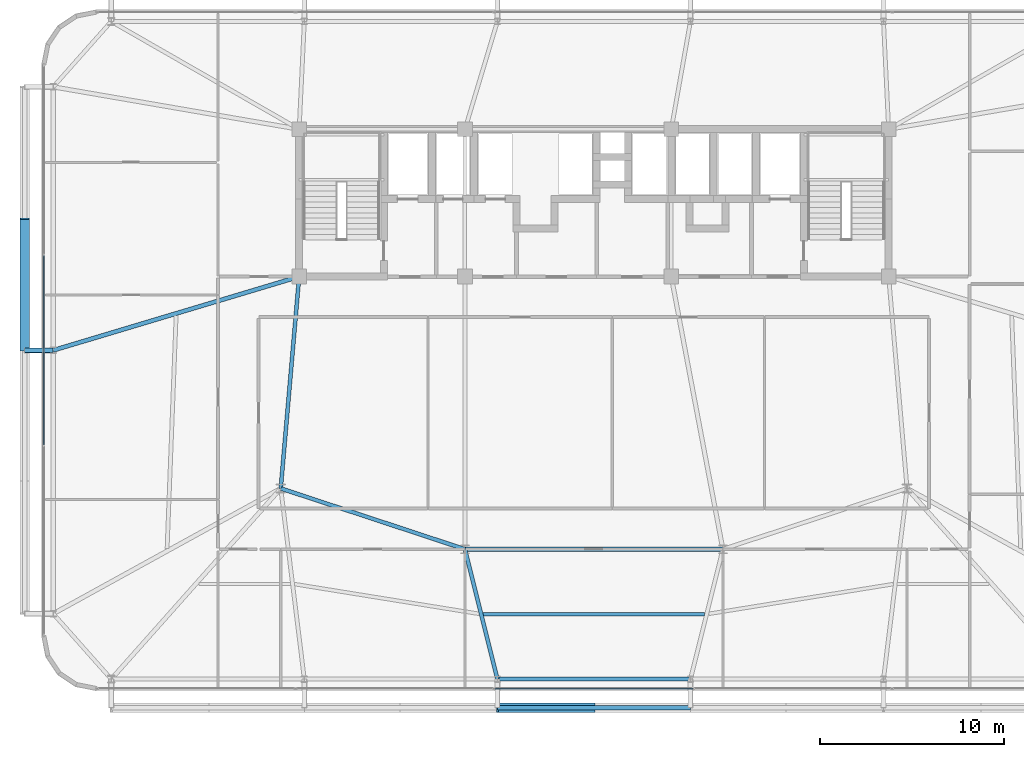
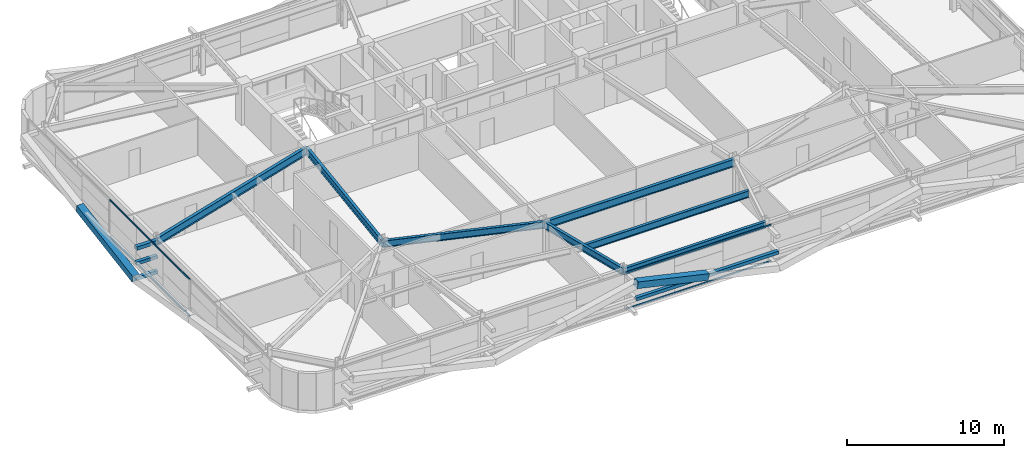
# One storey, part 10 of 45: 10 members, 7 beams, 2 elements without a shape of their own.
"""IFC4 building model written with IfcOpenShell, lengths in metres."""

import ifcopenshell
import ifcopenshell.guid

model = None  # the IFC model being written
_history = None  # IfcOwnerHistory: only IFC2X3 demands one
_inside = {}  # id of a spatial element -> (the spatial element, [elements in it])
_under = {}  # id of a project, library or spatial element -> (it, [spatial elements below it])
_declared = {}  # id of a project -> (the project, [libraries it declares])
_typed = {}  # id of a type object -> (the type object, [elements of that type])
_made_of = {}  # id of a material, layer set ... -> (it, [elements and type objects made of it])


def new_model(schema):
    """Start an empty IFC model of exactly this schema.

    Asked for "IFC4X3", IfcOpenShell would pick the latest addendum, in which some entities
    have other attributes; the version numbers below select the first issue.
    IFC2X3 requires an IfcOwnerHistory on every rooted entity: one is made here for all.
    """
    global model, _history
    if schema == "IFC4X3":
        model = ifcopenshell.file(schema_version=(4, 3, 0, 0))
    else:
        model = ifcopenshell.file(schema=schema)
    _inside.clear()
    _under.clear()
    _declared.clear()
    _typed.clear()
    _made_of.clear()
    _history = None
    if model.schema == "IFC2X3":
        org = make("IfcOrganization", Name="unknown")
        user = make(
            "IfcPersonAndOrganization",
            ThePerson=make("IfcPerson", FamilyName="unknown"),
            TheOrganization=org,
        )
        app = make(
            "IfcApplication",
            ApplicationDeveloper=org,
            Version="unknown",
            ApplicationFullName="unknown",
            ApplicationIdentifier="unknown",
        )
        _history = make(
            "IfcOwnerHistory",
            OwningUser=user,
            OwningApplication=app,
            ChangeAction="ADDED",
            CreationDate=0,
        )
    return model


def make(cls, **values):
    """One entity of the class cls with the attributes given. An attribute that is None is left unset."""
    return model.create_entity(
        cls, **{name: value for name, value in values.items() if value is not None}
    )


def rooted(cls, **values):
    """An entity with a GlobalId (a new one), such as an element, a storey or a relation."""
    return make(cls, GlobalId=ifcopenshell.guid.new(), OwnerHistory=_history, **values)


def si_unit(unit_type, name, prefix=None):
    """IfcSIUnit, for example si_unit("LENGTHUNIT", "METRE", prefix="MILLI")."""
    return make("IfcSIUnit", UnitType=unit_type, Prefix=prefix, Name=name)


def assignment(units):
    """IfcUnitAssignment: the units of a project."""
    return None if units is None else make("IfcUnitAssignment", Units=units)


def point(xyz):
    """IfcCartesianPoint."""
    return None if xyz is None else make("IfcCartesianPoint", Coordinates=xyz)


def direction(xyz):
    """IfcDirection."""
    return None if xyz is None else make("IfcDirection", DirectionRatios=xyz)


def frame(location, z_axis=None, x_axis=None):
    """IfcAxis2Placement3D, a coordinate frame: its origin and axes. An axis left out is left unset."""
    return make(
        "IfcAxis2Placement3D",
        Location=point(location),
        Axis=direction(z_axis),
        RefDirection=direction(x_axis),
    )


def frame_2d(location, x_axis=None):
    """IfcAxis2Placement2D, a coordinate frame in the plane: its origin and x axis."""
    return make(
        "IfcAxis2Placement2D", Location=point(location), RefDirection=direction(x_axis)
    )


def origin():
    """The frame at (0, 0, 0) with its axes left unset."""
    return frame((0.0, 0.0, 0.0))


def origin_2d():
    """The frame at (0, 0) in the plane with its x axis left unset."""
    return frame_2d((0.0, 0.0))


def place(relative_to, where):
    """IfcLocalPlacement: puts the frame where relative to a parent placement (None: the world)."""
    return make(
        "IfcLocalPlacement", PlacementRelTo=relative_to, RelativePlacement=where
    )


def context(
    kind, dimensions, precision=None, world=None, true_north=None, identifier=None
):
    """IfcGeometricRepresentationContext, for example the 3D "Model" context."""
    return make(
        "IfcGeometricRepresentationContext",
        ContextIdentifier=identifier,
        ContextType=kind,
        CoordinateSpaceDimension=dimensions,
        Precision=precision,
        WorldCoordinateSystem=world,
        TrueNorth=true_north,
    )


def subcontext(parent, identifier, kind, view, scale=None):
    """IfcGeometricRepresentationSubContext, for example "Body" below "Model"."""
    return make(
        "IfcGeometricRepresentationSubContext",
        ContextIdentifier=identifier,
        ContextType=kind,
        ParentContext=parent,
        TargetScale=scale,
        TargetView=view,
    )


def project(units=None, contexts=None):
    """IfcProject with its units and contexts."""
    return rooted(
        "IfcProject",
        Name="project",
        RepresentationContexts=contexts,
        UnitsInContext=assignment(units),
    )


def spatial(cls, under=None, at=None, **own):
    """A site, building, storey or space (cls), placed at a placement, below another one or the project."""
    s = rooted(cls, ObjectPlacement=at, **own)
    if under is not None:
        _under.setdefault(under.id(), (under, []))[1].append(s)
    return s


def profile(cls, at=None, kind="AREA", **sizes):
    """A parametric profile (cls). Its sizes go by their IFC names, for example OverallWidth=200.0."""
    return make(cls, ProfileType=kind, Position=at, **sizes)


def hollow_rectangle(**sizes):
    """IfcRectangleHollowProfileDef."""
    return profile("IfcRectangleHollowProfileDef", **sizes)


def i_section(**sizes):
    """IfcIShapeProfileDef."""
    return profile("IfcIShapeProfileDef", **sizes)


def extrude(swept, where, along, depth):
    """IfcExtrudedAreaSolid: the profile swept, set in the frame where, extruded along a direction by depth."""
    return make(
        "IfcExtrudedAreaSolid",
        SweptArea=swept,
        Position=where,
        ExtrudedDirection=direction(along),
        Depth=depth,
    )


def shape(context_of_items, identifier, shape_type, items):
    """IfcShapeRepresentation: the items that make up one representation, for example the "Body"."""
    return make(
        "IfcShapeRepresentation",
        ContextOfItems=context_of_items,
        RepresentationIdentifier=identifier,
        RepresentationType=shape_type,
        Items=items,
    )


def source(mapping_origin, context_of_items, identifier, shape_type, items):
    """IfcRepresentationMap: a shape defined once, which mapped items show again and again."""
    return make(
        "IfcRepresentationMap",
        MappingOrigin=mapping_origin,
        MappedRepresentation=shape(context_of_items, identifier, shape_type, items),
    )


def transform(
    local_origin,
    x_axis=None,
    y_axis=None,
    z_axis=None,
    scale=None,
    scale2=None,
    scale3=None,
    uniform=True,
):
    """IfcCartesianTransformationOperator3D, or its non-uniform kind. x_axis, y_axis, z_axis: its Axis1, 2, 3."""
    if uniform:
        return make(
            "IfcCartesianTransformationOperator3D",
            Axis1=direction(x_axis),
            Axis2=direction(y_axis),
            LocalOrigin=point(local_origin),
            Scale=scale,
            Axis3=direction(z_axis),
        )
    return make(
        "IfcCartesianTransformationOperator3DnonUniform",
        Axis1=direction(x_axis),
        Axis2=direction(y_axis),
        LocalOrigin=point(local_origin),
        Scale=scale,
        Axis3=direction(z_axis),
        Scale2=scale2,
        Scale3=scale3,
    )


def mapped(mapping_source, mapping_target):
    """IfcMappedItem: shows the shape of a source again, moved by a transform."""
    return make(
        "IfcMappedItem", MappingSource=mapping_source, MappingTarget=mapping_target
    )


def material(Name=None, Category=None):
    """IfcMaterial."""
    return make("IfcMaterial", Name=Name, Category=Category)


def layer(
    of_material, thickness, ventilated=None, Name=None, Category=None, Priority=None
):
    """IfcMaterialLayer: one layer of a wall or slab, of a material (None: an air gap)."""
    return make(
        "IfcMaterialLayer",
        Material=of_material,
        LayerThickness=thickness,
        IsVentilated=ventilated,
        Name=Name,
        Category=Category,
        Priority=Priority,
    )


def layer_set(layers, Name=None):
    """IfcMaterialLayerSet."""
    return make("IfcMaterialLayerSet", MaterialLayers=layers, LayerSetName=Name)


def material_profile(
    of_material, cross_section, Name=None, Category=None, Priority=None
):
    """IfcMaterialProfile: a cross section and its material."""
    return make(
        "IfcMaterialProfile",
        Name=Name,
        Material=of_material,
        Profile=cross_section,
        Priority=Priority,
        Category=Category,
    )


def profile_set(profiles, Name=None, composite=None):
    """IfcMaterialProfileSet."""
    return make(
        "IfcMaterialProfileSet",
        Name=Name,
        MaterialProfiles=profiles,
        CompositeProfile=composite,
    )


def made_of(thing, what):
    """Note that an element or type object is made of a material, layer set ...; save() writes the relation."""
    if what is not None:
        _made_of.setdefault(what.id(), (what, []))[1].append(thing)
    return thing


def type_object(cls, material=None, **own):
    """A type object (cls), such as IfcWallType, which elements share."""
    return made_of(rooted(cls, **own), material)


def element(
    cls,
    number,
    at=None,
    inside=None,
    cuts=None,
    type_object=None,
    material=None,
    context=None,
    identifier="Body",
    shape_type=None,
    held_by="IfcProductDefinitionShape",
    body=None,
    shapes=None,
    **own,
):
    """One element of the class cls, such as IfcWall. Its Tag is "e" and its number.

    at: its placement. inside: the storey or other place that contains it. cuts: it is an
    opening in that element (IfcRelVoidsElement). A single representation is given by context,
    identifier, shape_type and body (its items); several are given by shapes. held_by: the class
    of the entity that holds the representations. save() writes the other relations.
    """
    e = rooted(cls, Tag="e%d" % number, ObjectPlacement=at, **own)
    if body is not None:
        shapes = [shape(context, identifier, shape_type, body)]
    if shapes is not None:
        e.Representation = make(held_by, Representations=shapes)
    if inside is not None:
        _inside.setdefault(inside.id(), (inside, []))[1].append(e)
    if cuts is not None:
        rooted(
            "IfcRelVoidsElement", RelatingBuildingElement=cuts, RelatedOpeningElement=e
        )
    if type_object is not None:
        _typed.setdefault(type_object.id(), (type_object, []))[1].append(e)
    return made_of(e, material)


def aggregate(whole, parts):
    """IfcRelAggregates: a whole, such as a stair, and the parts it consists of."""
    return rooted("IfcRelAggregates", RelatingObject=whole, RelatedObjects=parts)


def save(model, path):
    """Write the relations noted so far, then the file.

    IfcRelAggregates (storeys below a building ...), IfcRelContainedInSpatialStructure (elements
    in a storey), IfcRelDefinesByType, IfcRelAssociatesMaterial and IfcRelDeclares: one each for
    every whole, place, type object, material and project.
    """
    for whole, parts in _under.values():
        aggregate(whole, parts)
    for where, things in _inside.values():
        rooted(
            "IfcRelContainedInSpatialStructure",
            RelatedElements=things,
            RelatingStructure=where,
        )
    for kind, things in _typed.values():
        rooted("IfcRelDefinesByType", RelatedObjects=things, RelatingType=kind)
    for what, things in _made_of.values():
        rooted("IfcRelAssociatesMaterial", RelatedObjects=things, RelatingMaterial=what)
    for by, libraries in _declared.values():
        rooted("IfcRelDeclares", RelatingContext=by, RelatedDefinitions=libraries)
    model.write(path)


model = new_model("IFC4")

# Units and contexts
model_context = context("Model", 3, precision=1e-05, world=origin(), true_north=direction((0.0, 1.0)))
body_context = subcontext(model_context, "Body", "Model", "MODEL_VIEW")
ifc_project = project(units=[si_unit("LENGTHUNIT", "METRE"), si_unit("AREAUNIT", "SQUARE_METRE"), si_unit("VOLUMEUNIT", "CUBIC_METRE"), si_unit("PLANEANGLEUNIT", "RADIAN"), si_unit("MASSUNIT", "GRAM", prefix="KILO")], contexts=[model_context])

# Site, building, storey
site_placement = place(None, origin())
site = spatial("IfcSite", under=ifc_project, at=site_placement, CompositionType="ELEMENT")
building_placement = place(site_placement, origin())
building = spatial("IfcBuilding", under=site, at=building_placement, Name="Taldren Reach Tower", CompositionType="ELEMENT")
storey_placement = place(building_placement, frame((0.0, 0.0, 57.75)))
storey = spatial("IfcBuildingStorey", under=building, at=storey_placement, Name="L17", CompositionType="ELEMENT", Elevation=57.75)

# Beams
ifc_material_1 = material(Name="Steel Gr 350 (350PLUS)", Category="steel")
ifc_material_profile_1 = material_profile(ifc_material_1, i_section(OverallWidth=0.208984375, OverallDepth=0.532958984375, WebThickness=0.01025390625, FlangeThickness=0.015625, at=origin_2d()), Name="530UB92.4")
ifc_profile_set_1 = profile_set([ifc_material_profile_1], Name="Steel Gr 350 (350PLUS)")
beam_type_1 = type_object("IfcBeamType", Name="BM-UB530A", PredefinedType="BEAM", material=ifc_profile_set_1)
shared_shape_1 = source(origin(), body_context, "Body", "SweptSolid", [
    extrude(i_section(OverallWidth=0.208984375, OverallDepth=0.532958984375, WebThickness=0.01025390625, FlangeThickness=0.015625, at=origin_2d()), origin(), (0.0, 0.0, 1.0), 11.54345703125),
])
beam_1_placement = place(storey_placement, frame((19.0, 24.0, 2.603515625), z_axis=(-0.086629616365, -0.996240588196, 0.0), x_axis=(0.996240588196, -0.086629616365, 0.0)))
element("IfcBeam", 1, at=beam_1_placement, inside=storey, type_object=beam_type_1, Name="Core-spine girder L17-SP09", PredefinedType="BEAM", context=body_context, shape_type="MappedRepresentation", body=[
    mapped(shared_shape_1, transform((0.0, 0.0, 0.0), scale=1.0)),
])
shared_shape_2 = source(origin(), body_context, "Body", "SweptSolid", [
    extrude(i_section(OverallWidth=0.208984375, OverallDepth=0.532958984375, WebThickness=0.01025390625, FlangeThickness=0.015625, at=origin_2d()), origin(), (0.0, 0.0, 1.0), 10.530517578125),
])
beam_2_placement = place(storey_placement, frame((18.0, 12.5, 2.603515625), z_axis=(0.949627269203, -0.313381635689, 0.0), x_axis=(0.313381635689, 0.949627269203, 0.0)))
element("IfcBeam", 2, at=beam_2_placement, inside=storey, type_object=beam_type_1, Name="Core-spine girder L17-SP10", PredefinedType="BEAM", context=body_context, shape_type="MappedRepresentation", body=[
    mapped(shared_shape_2, transform((0.0, 0.0, 0.0), scale=1.0)),
])
ifc_material_profile_2 = material_profile(ifc_material_1, i_section(OverallWidth=0.22802734375, OverallDepth=0.60205078125, WebThickness=0.010498046875, FlangeThickness=0.014892578125, at=origin_2d()), Name="610UB101")
ifc_profile_set_2 = profile_set([ifc_material_profile_2], Name="Steel Gr 350 (350PLUS)")
beam_type_2 = type_object("IfcBeamType", Name="BM-UB610B", PredefinedType="BEAM", material=ifc_profile_set_2)
shared_shape_3 = source(origin(), body_context, "Body", "SweptSolid", [
    extrude(i_section(OverallWidth=0.22802734375, OverallDepth=0.60205078125, WebThickness=0.010498046875, FlangeThickness=0.014892578125, at=origin_2d()), origin(), (0.0, 0.0, 1.0), 14.0),
])
beam_3_placement = place(storey_placement, frame((28.0, 9.199951171875, 2.569091796875), z_axis=(1.0, 0.0, 0.0), x_axis=(0.0, 1.0, 0.0)))
element("IfcBeam", 3, at=beam_3_placement, inside=storey, type_object=beam_type_2, Name="Core-spine girder L17-SP11", PredefinedType="BEAM", context=body_context, shape_type="MappedRepresentation", body=[
    mapped(shared_shape_3, transform((0.0, 0.0, 0.0), scale=1.0)),
])
ifc_material_profile_3 = material_profile(ifc_material_1, i_section(OverallWidth=0.208984375, OverallDepth=0.528076171875, WebThickness=0.009521484375, FlangeThickness=0.01318359375, at=origin_2d()), Name="530UB82.0")
ifc_profile_set_3 = profile_set([ifc_material_profile_3], Name="Steel Gr 350 (350PLUS)")
beam_type_3 = type_object("IfcBeamType", Name="SP-UB530B", PredefinedType="SPANDREL", material=ifc_profile_set_3)
shared_shape_4 = source(origin(), body_context, "Body", "SweptSolid", [
    extrude(i_section(OverallWidth=0.208984375, OverallDepth=0.528076171875, WebThickness=0.009521484375, FlangeThickness=0.01318359375, at=origin_2d()), origin(), (0.0, 0.0, 1.0), 10.47998046875),
])
beam_4_placement = place(storey_placement, frame((29.760009765625, 2.14990234375, 2.60595703125), z_axis=(1.0, 0.0, 0.0), x_axis=(0.0, 1.0, 0.0)))
element("IfcBeam", 4, at=beam_4_placement, inside=storey, type_object=beam_type_3, Name="Perimeter spandrel B1 S3-S4 L17", PredefinedType="SPANDREL", context=body_context, shape_type="MappedRepresentation", body=[
    mapped(shared_shape_4, transform((0.0, 0.0, 0.0), scale=1.0)),
])
shared_shape_5 = source(origin(), body_context, "Body", "SweptSolid", [
    extrude(i_section(OverallWidth=0.208984375, OverallDepth=0.532958984375, WebThickness=0.01025390625, FlangeThickness=0.015625, at=origin_2d()), origin(), (0.0, 0.0, 1.0), 7.266357421875),
])
beam_5_placement = place(storey_placement, frame((28.0, 9.199951171875, 2.603515625), z_axis=(0.24221148493, -0.970223477642, 0.0), x_axis=(0.970223477642, 0.24221148493, 0.0)))
element("IfcBeam", 5, at=beam_5_placement, inside=storey, type_object=beam_type_1, Name="Primary floor girder B1-S3 L17", PredefinedType="BEAM", context=body_context, shape_type="MappedRepresentation", body=[
    mapped(shared_shape_5, transform((0.0, 0.0, 0.0), scale=1.0)),
])
shared_shape_6 = source(origin(), body_context, "Body", "SweptSolid", [
    extrude(i_section(OverallWidth=0.22802734375, OverallDepth=0.60205078125, WebThickness=0.010498046875, FlangeThickness=0.014892578125, at=origin_2d()), origin(), (0.0, 0.0, 1.0), 13.9365234375),
])
beam_6_placement = place(storey_placement, frame((19.0, 24.0, 2.569091796875), z_axis=(-0.957925550891, -0.287016792104, 0.0), x_axis=(0.287016792104, -0.957925550891, 0.0)))
element("IfcBeam", 6, at=beam_6_placement, inside=storey, type_object=beam_type_2, Name="Primary floor girder B1-W2 L17", PredefinedType="BEAM", context=body_context, shape_type="MappedRepresentation", body=[
    mapped(shared_shape_6, transform((0.0, 0.0, 0.0), scale=1.0)),
])
shared_shape_7 = source(origin(), body_context, "Body", "SweptSolid", [
    extrude(i_section(OverallWidth=0.208984375, OverallDepth=0.532958984375, WebThickness=0.01025390625, FlangeThickness=0.015625, at=origin_2d()), origin(), (0.0, 0.0, 1.0), 12.0244140625),
])
beam_7_placement = place(storey_placement, frame((28.98779296875, 5.675048828125, 2.603515625), z_axis=(1.0, 0.0, 0.0), x_axis=(0.0, 1.0, 0.0)))
element("IfcBeam", 7, at=beam_7_placement, inside=storey, type_object=beam_type_1, Name="Secondary floor beam B1 J3 L17", PredefinedType="BEAM", context=body_context, shape_type="MappedRepresentation", body=[
    mapped(shared_shape_7, transform((0.0, 0.0, 0.0), scale=1.0)),
])

# Members
ifc_material_2 = material(Name="Steel Gr 450 (C450L0)", Category="steel")
ifc_material_profile_4 = material_profile(ifc_material_2, hollow_rectangle(XDim=0.27490234375, YDim=0.27490234375, WallThickness=0.00927734375, at=origin_2d()), Name="275x275x9.3SHS")
ifc_profile_set_4 = profile_set([ifc_material_profile_4], Name="Steel Gr 450 (C450L0)")
member_type_1 = type_object("IfcMemberType", Name="MB-TIE273", PredefinedType="STRUT", material=ifc_profile_set_4)
shared_shape_8 = source(origin(), body_context, "Body", "SweptSolid", [
    extrude(hollow_rectangle(XDim=0.27490234375, YDim=0.27490234375, WallThickness=0.00927734375, at=origin_2d()), origin(), (0.0, 0.0, 1.0), 1.5498046875),
])
member_1_placement = place(storey_placement, frame((5.64990234375, 20.0, 2.590087890625), z_axis=(-1.0, 0.0, 0.0), x_axis=(0.0, -1.0, 0.0)))
element("IfcMember", 8, at=member_1_placement, inside=storey, type_object=member_type_1, Name="Exoskeleton diaphragm tie strut B1-W2 L17", PredefinedType="STRUT", context=body_context, shape_type="MappedRepresentation", body=[
    mapped(shared_shape_8, transform((0.0, 0.0, 0.0), scale=1.0)),
])
ifc_material_3 = material(Name="Steel Gr 350 (C350L0)", Category="steel")
ifc_material_profile_5 = material_profile(ifc_material_3, hollow_rectangle(XDim=0.25, YDim=0.25, WallThickness=0.010009765625, at=origin_2d()), Name="250x250x10.0SHS")
ifc_profile_set_5 = profile_set([ifc_material_profile_5], Name="Steel Gr 350 (C350L0)")
member_type_2 = type_object("IfcMemberType", Name="MB-POST250", PredefinedType="POST", material=ifc_profile_set_5)
shared_shape_9 = source(origin(), body_context, "Body", "SweptSolid", [
    extrude(hollow_rectangle(XDim=0.25, YDim=0.25, WallThickness=0.010009765625, at=origin_2d()), origin(), (0.0, 0.0, 1.0), 10.47998046875),
])
member_2_placement = place(storey_placement, frame((29.760009765625, 0.60009765625, 1.405029296875), z_axis=(1.0, 0.0, 0.0), x_axis=(0.0, 1.0, 0.0)))
element("IfcMember", 9, at=member_2_placement, inside=storey, type_object=member_type_2, Name="Exoskeleton mid-height ring chord B1-S3 L17", PredefinedType="POST", context=body_context, shape_type="MappedRepresentation", body=[
    mapped(shared_shape_9, transform((0.0, 0.0, 0.0), scale=1.0)),
])
shared_shape_10 = source(origin(), body_context, "Body", "SweptSolid", [
    extrude(hollow_rectangle(XDim=0.25, YDim=0.25, WallThickness=0.010009765625, at=origin_2d()), origin(), (0.0, 0.0, 1.0), 1.5498046875),
])
for number, where, z_axis, x_axis, name in (
    (10, (5.64990234375, 20.0, 0.219970703125), (-1.0, 0.0, 0.0), (0.0, -1.0, 0.0), "Exoskeleton base diaphragm tie strut B1-W2 L17"),
    (11, (5.64990234375, 20.0, 1.405029296875), (-1.0, 0.0, 0.0), (0.0, -1.0, 0.0), "Exoskeleton mid-tier diaphragm tie B1-W2 L17"),
):
    element("IfcMember", number, at=place(storey_placement, frame(where, z_axis=z_axis, x_axis=x_axis)), inside=storey, type_object=member_type_2, Name=name, PredefinedType="POST", context=body_context, shape_type="MappedRepresentation", body=[
        mapped(shared_shape_10, transform((0.0, 0.0, 0.0), scale=1.0)),
    ])
ifc_material_profile_6 = material_profile(ifc_material_2, hollow_rectangle(XDim=0.510009765625, YDim=0.510009765625, WallThickness=0.02001953125, at=origin_2d()), Name="510x510x20.0SHS")
ifc_profile_set_6 = profile_set([ifc_material_profile_6], Name="Steel Gr 450 (C450L0)")
member_type_3 = type_object("IfcMemberType", Name="MB-EXO508", PredefinedType="BRACE", material=ifc_profile_set_6)
shared_shape_11 = source(origin(), body_context, "Body", "SweptSolid", [
    extrude(hollow_rectangle(XDim=0.510009765625, YDim=0.510009765625, WallThickness=0.02001953125, at=origin_2d()), origin(), (0.0, 0.0, 1.0), 5.372314453125),
])
member_3_placement = place(storey_placement, frame((35.0, 0.60009765625, 1.405029296875), z_axis=(-0.975367562392, 0.0, 0.220585852297), x_axis=(0.0, -1.0, 0.0)))
element("IfcMember", 12, at=member_3_placement, inside=storey, type_object=member_type_3, Name="Exoskeleton Diagrid Brace B1-S3 L17", PredefinedType="BRACE", context=body_context, shape_type="MappedRepresentation", body=[
    mapped(shared_shape_11, transform((0.0, 0.0, 0.0), scale=1.0)),
])
shared_shape_12 = source(origin(), body_context, "Body", "SweptSolid", [
    extrude(hollow_rectangle(XDim=0.510009765625, YDim=0.510009765625, WallThickness=0.02001953125, at=origin_2d()), origin(), (0.0, 0.0, 1.0), 7.24755859375),
])
member_4_placement = place(storey_placement, frame((4.10009765625, 20.0, 0.219970703125), z_axis=(0.0, 0.986541018832, 0.163513969317), x_axis=(-1.0, 0.0, 0.0)))
element("IfcMember", 13, at=member_4_placement, inside=storey, type_object=member_type_3, Name="Exoskeleton Diagrid Brace B1-W2 L17", PredefinedType="BRACE", context=body_context, shape_type="MappedRepresentation", body=[
    mapped(shared_shape_12, transform((0.0, 0.0, 0.0), scale=1.0)),
])

# Curtain wall, members
ifc_material_4 = material(Name="Aluminium and Low-E Glass Unitised System", Category="aluminium")
ifc_layer = layer(ifc_material_4, 0.159912109375)
ifc_layer_set = layer_set([ifc_layer], Name="Aluminium and Low-E Glass Unitised System")
curtain_wall_type = type_object("IfcCurtainWallType", Name="CW-SYS-2", PredefinedType="NOTDEFINED", material=ifc_layer_set)
curtain_wall_1_placement = place(storey_placement, origin())
curtain_wall_1 = element("IfcCurtainWall", 14, at=curtain_wall_1_placement, inside=storey, type_object=curtain_wall_type, Name="Unitised curtain wall CW-L17-S", PredefinedType="NOTDEFINED")
ifc_material_5 = material(Name="Anodised Aluminium 6063-T6", Category="aluminium")
ifc_material_profile_7 = material_profile(ifc_material_5, hollow_rectangle(XDim=0.054931640625, YDim=0.1201171875, WallThickness=0.0029296875, at=origin_2d()), Name="ALU-120x55x3RHS")
ifc_profile_set_7 = profile_set([ifc_material_profile_7], Name="Anodised Aluminium 6063-T6")
member_type_4 = type_object("IfcMemberType", Name="CW-TRN-135", PredefinedType="USERDEFINED", material=ifc_profile_set_7)
shared_shape_13 = source(origin(), body_context, "Body", "SweptSolid", [
    extrude(hollow_rectangle(XDim=0.054931640625, YDim=0.1201171875, WallThickness=0.0029296875, at=origin_2d()), origin(), (0.0, 0.0, 1.0), 10.73486328125),
])
member_5_placement = place(storey_placement, frame((29.632568359375, 1.639892578125, 0.027587890625), z_axis=(1.0, 0.0, 0.0), x_axis=(0.0, 1.0, 0.0)))
member_5 = element("IfcMember", 15, at=member_5_placement, type_object=member_type_4, Name="CW-2 transom 3.1", ObjectType="TRANSOM", PredefinedType="USERDEFINED", context=body_context, shape_type="MappedRepresentation", body=[
    mapped(shared_shape_13, transform((0.0, 0.0, 0.0), scale=1.0)),
])
member_6_placement = place(storey_placement, frame((29.632568359375, 1.639892578125, 2.842529296875), z_axis=(1.0, 0.0, 0.0), x_axis=(0.0, 1.0, 0.0)))
member_6 = element("IfcMember", 16, at=member_6_placement, type_object=member_type_4, Name="CW-2 transom 3.2", ObjectType="TRANSOM", PredefinedType="USERDEFINED", context=body_context, shape_type="MappedRepresentation", body=[
    mapped(shared_shape_13, transform((0.0, 0.0, 0.0), scale=1.0)),
])
aggregate(curtain_wall_1, [member_5, member_6])

curtain_wall_2_placement = place(storey_placement, origin())
curtain_wall_2 = element("IfcCurtainWall", 17, at=curtain_wall_2_placement, inside=storey, type_object=curtain_wall_type, Name="Unitised curtain wall CW-L17-W", PredefinedType="NOTDEFINED")
shared_shape_14 = source(origin(), body_context, "Body", "SweptSolid", [
    extrude(hollow_rectangle(XDim=0.054931640625, YDim=0.1201171875, WallThickness=0.0029296875, at=origin_2d()), origin(), (0.0, 0.0, 1.0), 10.2685546875),
])
member_7_placement = place(storey_placement, frame((5.139892578125, 25.13427734375, 0.027587890625), z_axis=(0.0, -1.0, 0.0), x_axis=(1.0, 0.0, 0.0)))
member_7 = element("IfcMember", 18, at=member_7_placement, type_object=member_type_4, Name="CW-2 transom 2.1", ObjectType="TRANSOM", PredefinedType="USERDEFINED", context=body_context, shape_type="MappedRepresentation", body=[
    mapped(shared_shape_14, transform((0.0, 0.0, 0.0), scale=1.0)),
])
member_8_placement = place(storey_placement, frame((5.139892578125, 25.13427734375, 2.842529296875), z_axis=(0.0, -1.0, 0.0), x_axis=(1.0, 0.0, 0.0)))
member_8 = element("IfcMember", 19, at=member_8_placement, type_object=member_type_4, Name="CW-2 transom 2.2", ObjectType="TRANSOM", PredefinedType="USERDEFINED", context=body_context, shape_type="MappedRepresentation", body=[
    mapped(shared_shape_14, transform((0.0, 0.0, 0.0), scale=1.0)),
])
aggregate(curtain_wall_2, [member_7, member_8])

save(model, "model.ifc")
